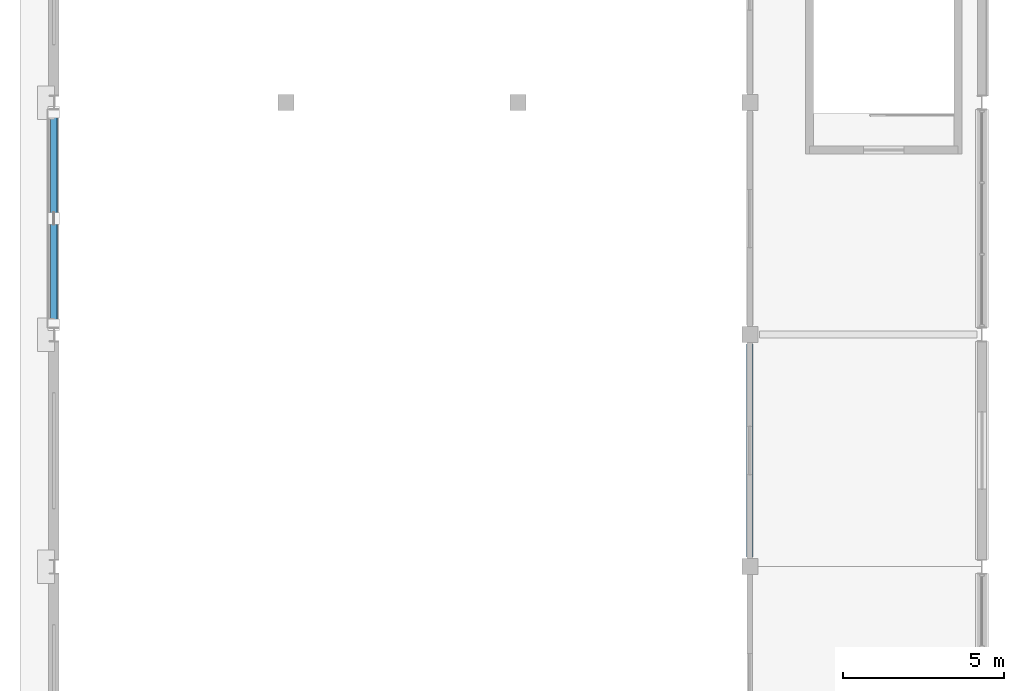
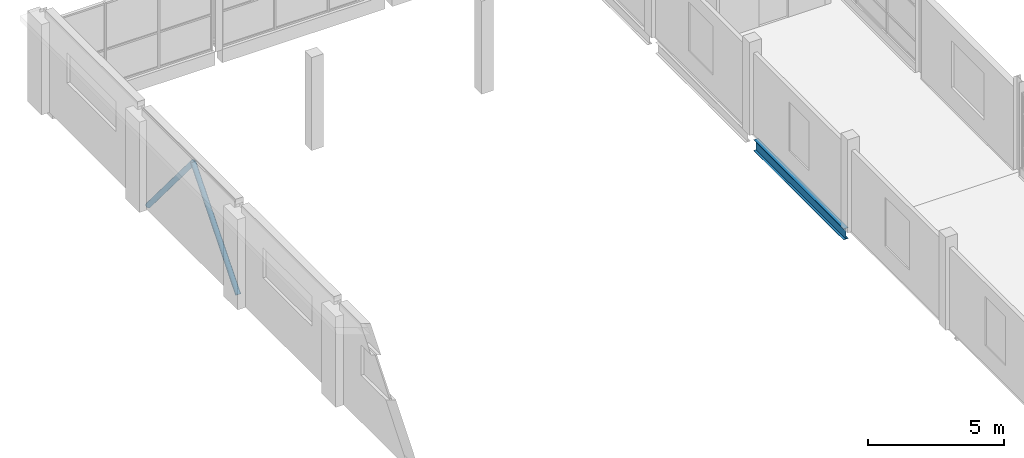
# One storey, part 17 of 71: 2 members, 1 beam.
"""IFC4 building model written with IfcOpenShell, lengths in metres."""

import ifcopenshell
import ifcopenshell.guid

model = None  # the IFC model being written
_history = None  # IfcOwnerHistory: only IFC2X3 demands one
_inside = {}  # id of a spatial element -> (the spatial element, [elements in it])
_under = {}  # id of a project, library or spatial element -> (it, [spatial elements below it])
_declared = {}  # id of a project -> (the project, [libraries it declares])
_typed = {}  # id of a type object -> (the type object, [elements of that type])
_made_of = {}  # id of a material, layer set ... -> (it, [elements and type objects made of it])


def new_model(schema):
    """Start an empty IFC model of exactly this schema.

    Asked for "IFC4X3", IfcOpenShell would pick the latest addendum, in which some entities
    have other attributes; the version numbers below select the first issue.
    IFC2X3 requires an IfcOwnerHistory on every rooted entity: one is made here for all.
    """
    global model, _history
    if schema == "IFC4X3":
        model = ifcopenshell.file(schema_version=(4, 3, 0, 0))
    else:
        model = ifcopenshell.file(schema=schema)
    _inside.clear()
    _under.clear()
    _declared.clear()
    _typed.clear()
    _made_of.clear()
    _history = None
    if model.schema == "IFC2X3":
        org = make("IfcOrganization", Name="unknown")
        user = make(
            "IfcPersonAndOrganization",
            ThePerson=make("IfcPerson", FamilyName="unknown"),
            TheOrganization=org,
        )
        app = make(
            "IfcApplication",
            ApplicationDeveloper=org,
            Version="unknown",
            ApplicationFullName="unknown",
            ApplicationIdentifier="unknown",
        )
        _history = make(
            "IfcOwnerHistory",
            OwningUser=user,
            OwningApplication=app,
            ChangeAction="ADDED",
            CreationDate=0,
        )
    return model


def make(cls, **values):
    """One entity of the class cls with the attributes given. An attribute that is None is left unset."""
    return model.create_entity(
        cls, **{name: value for name, value in values.items() if value is not None}
    )


def rooted(cls, **values):
    """An entity with a GlobalId (a new one), such as an element, a storey or a relation."""
    return make(cls, GlobalId=ifcopenshell.guid.new(), OwnerHistory=_history, **values)


def si_unit(unit_type, name, prefix=None):
    """IfcSIUnit, for example si_unit("LENGTHUNIT", "METRE", prefix="MILLI")."""
    return make("IfcSIUnit", UnitType=unit_type, Prefix=prefix, Name=name)


def assignment(units):
    """IfcUnitAssignment: the units of a project."""
    return None if units is None else make("IfcUnitAssignment", Units=units)


def point(xyz):
    """IfcCartesianPoint."""
    return None if xyz is None else make("IfcCartesianPoint", Coordinates=xyz)


def direction(xyz):
    """IfcDirection."""
    return None if xyz is None else make("IfcDirection", DirectionRatios=xyz)


def frame(location, z_axis=None, x_axis=None):
    """IfcAxis2Placement3D, a coordinate frame: its origin and axes. An axis left out is left unset."""
    return make(
        "IfcAxis2Placement3D",
        Location=point(location),
        Axis=direction(z_axis),
        RefDirection=direction(x_axis),
    )


def frame_2d(location, x_axis=None):
    """IfcAxis2Placement2D, a coordinate frame in the plane: its origin and x axis."""
    return make(
        "IfcAxis2Placement2D", Location=point(location), RefDirection=direction(x_axis)
    )


def origin():
    """The frame at (0, 0, 0) with its axes left unset."""
    return frame((0.0, 0.0, 0.0))


def origin_2d():
    """The frame at (0, 0) in the plane with its x axis left unset."""
    return frame_2d((0.0, 0.0))


def place(relative_to, where):
    """IfcLocalPlacement: puts the frame where relative to a parent placement (None: the world)."""
    return make(
        "IfcLocalPlacement", PlacementRelTo=relative_to, RelativePlacement=where
    )


def context(
    kind, dimensions, precision=None, world=None, true_north=None, identifier=None
):
    """IfcGeometricRepresentationContext, for example the 3D "Model" context."""
    return make(
        "IfcGeometricRepresentationContext",
        ContextIdentifier=identifier,
        ContextType=kind,
        CoordinateSpaceDimension=dimensions,
        Precision=precision,
        WorldCoordinateSystem=world,
        TrueNorth=true_north,
    )


def subcontext(parent, identifier, kind, view, scale=None):
    """IfcGeometricRepresentationSubContext, for example "Body" below "Model"."""
    return make(
        "IfcGeometricRepresentationSubContext",
        ContextIdentifier=identifier,
        ContextType=kind,
        ParentContext=parent,
        TargetScale=scale,
        TargetView=view,
    )


def project(units=None, contexts=None):
    """IfcProject with its units and contexts."""
    return rooted(
        "IfcProject",
        Name="project",
        RepresentationContexts=contexts,
        UnitsInContext=assignment(units),
    )


def spatial(cls, under=None, at=None, **own):
    """A site, building, storey or space (cls), placed at a placement, below another one or the project."""
    s = rooted(cls, ObjectPlacement=at, **own)
    if under is not None:
        _under.setdefault(under.id(), (under, []))[1].append(s)
    return s


def profile(cls, at=None, kind="AREA", **sizes):
    """A parametric profile (cls). Its sizes go by their IFC names, for example OverallWidth=200.0."""
    return make(cls, ProfileType=kind, Position=at, **sizes)


def hollow_circle(**sizes):
    """IfcCircleHollowProfileDef."""
    return profile("IfcCircleHollowProfileDef", **sizes)


def i_section(**sizes):
    """IfcIShapeProfileDef."""
    return profile("IfcIShapeProfileDef", **sizes)


def extrude(swept, where, along, depth):
    """IfcExtrudedAreaSolid: the profile swept, set in the frame where, extruded along a direction by depth."""
    return make(
        "IfcExtrudedAreaSolid",
        SweptArea=swept,
        Position=where,
        ExtrudedDirection=direction(along),
        Depth=depth,
    )


def shape(context_of_items, identifier, shape_type, items):
    """IfcShapeRepresentation: the items that make up one representation, for example the "Body"."""
    return make(
        "IfcShapeRepresentation",
        ContextOfItems=context_of_items,
        RepresentationIdentifier=identifier,
        RepresentationType=shape_type,
        Items=items,
    )


def material(Name=None, Category=None):
    """IfcMaterial."""
    return make("IfcMaterial", Name=Name, Category=Category)


def material_profile(
    of_material, cross_section, Name=None, Category=None, Priority=None
):
    """IfcMaterialProfile: a cross section and its material."""
    return make(
        "IfcMaterialProfile",
        Name=Name,
        Material=of_material,
        Profile=cross_section,
        Priority=Priority,
        Category=Category,
    )


def profile_set(profiles, Name=None, composite=None):
    """IfcMaterialProfileSet."""
    return make(
        "IfcMaterialProfileSet",
        Name=Name,
        MaterialProfiles=profiles,
        CompositeProfile=composite,
    )


def made_of(thing, what):
    """Note that an element or type object is made of a material, layer set ...; save() writes the relation."""
    if what is not None:
        _made_of.setdefault(what.id(), (what, []))[1].append(thing)
    return thing


def type_object(cls, material=None, **own):
    """A type object (cls), such as IfcWallType, which elements share."""
    return made_of(rooted(cls, **own), material)


def element(
    cls,
    number,
    at=None,
    inside=None,
    cuts=None,
    type_object=None,
    material=None,
    context=None,
    identifier="Body",
    shape_type=None,
    held_by="IfcProductDefinitionShape",
    body=None,
    shapes=None,
    **own,
):
    """One element of the class cls, such as IfcWall. Its Tag is "e" and its number.

    at: its placement. inside: the storey or other place that contains it. cuts: it is an
    opening in that element (IfcRelVoidsElement). A single representation is given by context,
    identifier, shape_type and body (its items); several are given by shapes. held_by: the class
    of the entity that holds the representations. save() writes the other relations.
    """
    e = rooted(cls, Tag="e%d" % number, ObjectPlacement=at, **own)
    if body is not None:
        shapes = [shape(context, identifier, shape_type, body)]
    if shapes is not None:
        e.Representation = make(held_by, Representations=shapes)
    if inside is not None:
        _inside.setdefault(inside.id(), (inside, []))[1].append(e)
    if cuts is not None:
        rooted(
            "IfcRelVoidsElement", RelatingBuildingElement=cuts, RelatedOpeningElement=e
        )
    if type_object is not None:
        _typed.setdefault(type_object.id(), (type_object, []))[1].append(e)
    return made_of(e, material)


def aggregate(whole, parts):
    """IfcRelAggregates: a whole, such as a stair, and the parts it consists of."""
    return rooted("IfcRelAggregates", RelatingObject=whole, RelatedObjects=parts)


def save(model, path):
    """Write the relations noted so far, then the file.

    IfcRelAggregates (storeys below a building ...), IfcRelContainedInSpatialStructure (elements
    in a storey), IfcRelDefinesByType, IfcRelAssociatesMaterial and IfcRelDeclares: one each for
    every whole, place, type object, material and project.
    """
    for whole, parts in _under.values():
        aggregate(whole, parts)
    for where, things in _inside.values():
        rooted(
            "IfcRelContainedInSpatialStructure",
            RelatedElements=things,
            RelatingStructure=where,
        )
    for kind, things in _typed.values():
        rooted("IfcRelDefinesByType", RelatedObjects=things, RelatingType=kind)
    for what, things in _made_of.values():
        rooted("IfcRelAssociatesMaterial", RelatedObjects=things, RelatingMaterial=what)
    for by, libraries in _declared.values():
        rooted("IfcRelDeclares", RelatingContext=by, RelatedDefinitions=libraries)
    model.write(path)


model = new_model("IFC4")

# Units and contexts
model_context = context("Model", 3, precision=1e-05, world=origin(), true_north=direction((0.0, 1.0)))
body_context = subcontext(model_context, "Body", "Model", "MODEL_VIEW")
ifc_project = project(units=[si_unit("LENGTHUNIT", "METRE"), si_unit("AREAUNIT", "SQUARE_METRE"), si_unit("VOLUMEUNIT", "CUBIC_METRE"), si_unit("PLANEANGLEUNIT", "RADIAN"), si_unit("MASSUNIT", "GRAM", prefix="KILO")], contexts=[model_context])

# Site, building, storey
site_placement = place(None, origin())
site = spatial("IfcSite", under=ifc_project, at=site_placement, CompositionType="ELEMENT")
building_placement = place(site_placement, origin())
building = spatial("IfcBuilding", under=site, at=building_placement, Name="Sardonyx Promenade Sports Hall", CompositionType="ELEMENT")
storey_placement = place(building_placement, frame((0.0, 0.0, 16.0)))
storey = spatial("IfcBuildingStorey", under=building, at=storey_placement, Name="L03", CompositionType="ELEMENT", Elevation=16.0)

# Beam
ifc_material_1 = material(Name="Steel S355JR", Category="steel")
ifc_material_profile_1 = material_profile(ifc_material_1, i_section(OverallWidth=0.199951171875, OverallDepth=0.5, WebThickness=0.01025390625, FlangeThickness=0.01611328125, at=origin_2d()))
ifc_profile_set_1 = profile_set([ifc_material_profile_1], Name="Steel S355JR")
beam_type = type_object("IfcBeamType", Name="Bm_Primary_IPE500", PredefinedType="BEAM", material=ifc_profile_set_1)
beam_placement = place(storey_placement, frame((21.60009765625, 50.699951171875, -0.449951171875), z_axis=(0.0, 1.0, 0.0), x_axis=(-1.0, 0.0, 0.0)))
element("IfcBeam", 1, at=beam_placement, inside=storey, type_object=beam_type, Name="Beam SB06 L03 #816", PredefinedType="BEAM", context=body_context, shape_type="SweptSolid", body=[
    extrude(i_section(OverallWidth=0.199951171875, OverallDepth=0.5, WebThickness=0.01025390625, FlangeThickness=0.01611328125, at=origin_2d()), origin(), (0.0, 0.0, 1.0), 6.60009765625),
])

# Members
ifc_material_2 = material(Name="Steel S355JR", Category="steel")
ifc_material_profile_2 = material_profile(ifc_material_2, hollow_circle(Radius=0.109619140625, WallThickness=0.010009765625, at=origin_2d()))
ifc_profile_set_2 = profile_set([ifc_material_profile_2], Name="Steel S355JR")
member_type = type_object("IfcMemberType", Name="Mbr_Brace_CHS219_Ext", PredefinedType="BRACE", material=ifc_profile_set_2)
for number, where, z_axis, x_axis, name in (
    (2, (0.0, 57.89990234375, 0.02001953125), (0.0, 0.64306711619, 0.765809822394), (-1.0, 0.0, 0.0), "Chevron brace BR02 BF2 L03 leg 1"),
    (3, (0.0, 64.5, 0.02001953125), (0.0, -0.64306711619, 0.765809822394), (1.0, 0.0, 0.0), "Chevron brace BR02 BF2 L03 leg 2"),
):
    element("IfcMember", number, at=place(storey_placement, frame(where, z_axis=z_axis, x_axis=x_axis)), inside=storey, type_object=member_type, Name=name, PredefinedType="BRACE", context=body_context, shape_type="SweptSolid", body=[
        extrude(hollow_circle(Radius=0.109619140625, WallThickness=0.010009765625, at=origin_2d()), origin(), (0.0, 0.0, 1.0), 5.1318359375),
    ])

save(model, "model.ifc")
